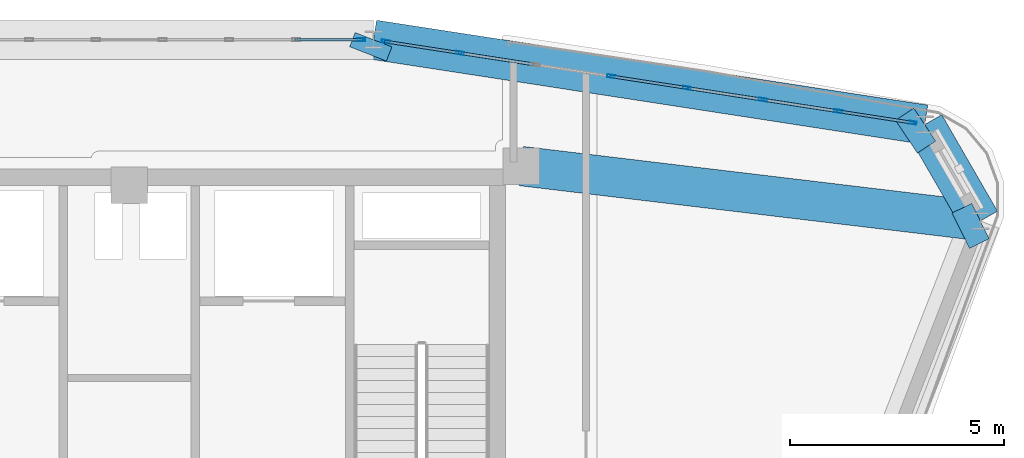
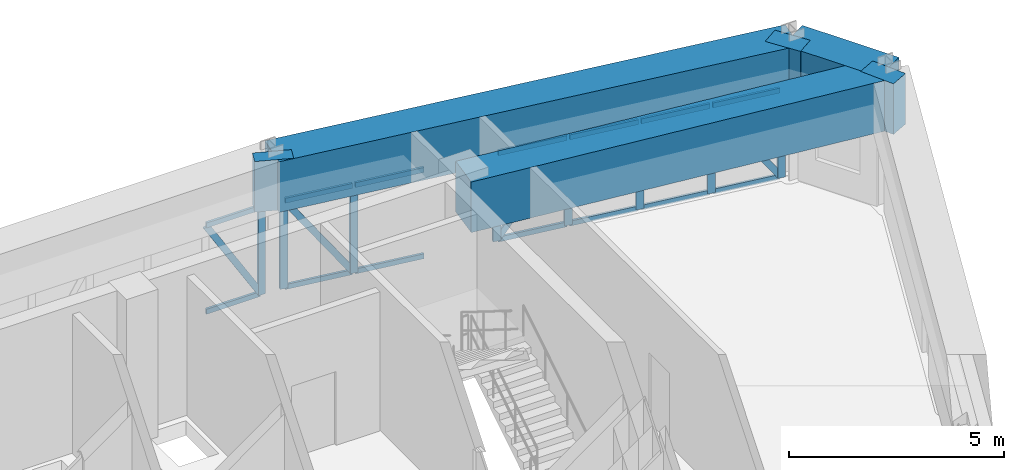
# One storey, part 10 of 18: 26 members, 6 beams, 2 elements without a shape of their own.
"""IFC4 building model written with IfcOpenShell, lengths in metres."""

from ifc_helpers import new_model, si_unit, derived_unit, direction, frame, origin, origin_2d, place, context, subcontext, project, spatial, rectangle, hollow_rectangle, extrude, source, transform, mapped, material, layer, layer_set, material_profile, profile_set, type_object, element, aggregate, save


model = new_model("IFC4")

# Units and contexts
model_context = context("Model", 3, precision=1e-05, world=origin(), true_north=direction((0.0, 1.0)))
body_context = subcontext(model_context, "Body", "Model", "MODEL_VIEW")
ifc_project = project(units=[si_unit("LENGTHUNIT", "METRE"), si_unit("AREAUNIT", "SQUARE_METRE"), si_unit("VOLUMEUNIT", "CUBIC_METRE"), si_unit("PLANEANGLEUNIT", "RADIAN"), si_unit("MASSUNIT", "GRAM", prefix="KILO"), derived_unit("THERMALTRANSMITTANCEUNIT", [(si_unit("POWERUNIT", "WATT"), 1), (si_unit("LENGTHUNIT", "METRE"), -2), (si_unit("THERMODYNAMICTEMPERATUREUNIT", "KELVIN"), -1)])], contexts=[model_context])

# Site, building, storey
site_placement = place(None, origin())
site = spatial("IfcSite", under=ifc_project, at=site_placement, CompositionType="ELEMENT")
building_placement = place(site_placement, origin())
building = spatial("IfcBuilding", under=site, at=building_placement, Name="Korsvarv Bourse and Concert Hall", CompositionType="ELEMENT")
storey_placement = place(building_placement, frame((0.0, 0.0, 275.39990234375)))
storey = spatial("IfcBuildingStorey", under=building, at=storey_placement, Name="L72", CompositionType="ELEMENT", Elevation=275.39990234375)

# Beams
ifc_material_1 = material(Name="Concrete C50/60", Category="concrete")
ifc_material_profile_1 = material_profile(ifc_material_1, rectangle(XDim=0.919921875, YDim=1.43994140625, at=origin_2d()), Name="RC-BM 920x1440")
ifc_profile_set_1 = profile_set([ifc_material_profile_1], Name="Concrete C50/60")
beam_type = type_object("IfcBeamType", Name="BM-TR-144", PredefinedType="BEAM", material=ifc_profile_set_1)
shared_shape_1 = source(origin(), body_context, "Body", "SweptSolid", [
    extrude(rectangle(XDim=0.919921875, YDim=1.43994140625, at=origin_2d()), origin(), (0.0, 0.0, 1.0), 2.5986328125),
])
beam_1_placement = place(storey_placement, frame((55.86328125, 45.9677734375, 3.239990234375), z_axis=(-0.499928491324, 0.866066685402, 0.0), x_axis=(-0.866066685402, -0.499928491324, 0.0)))
element("IfcBeam", 1, at=beam_1_placement, inside=storey, type_object=beam_type, Name="L72 beam B-TR4", PredefinedType="BEAM", context=body_context, shape_type="MappedRepresentation", body=[
    mapped(shared_shape_1, transform((0.0, 0.0, 0.0), scale=1.0)),
])
shared_shape_2 = source(origin(), body_context, "Body", "SweptSolid", [
    extrude(rectangle(XDim=0.919921875, YDim=1.43994140625, at=origin_2d()), origin(), (0.0, 0.0, 1.0), 13.0166015625),
])
beam_2_placement = place(storey_placement, frame((54.564208984375, 48.21826171875, 3.239990234375), z_axis=(-0.988346097473, 0.152223492306, 0.0), x_axis=(-0.152223492306, -0.988346097473, 0.0)))
element("IfcBeam", 2, at=beam_2_placement, inside=storey, type_object=beam_type, Name="L72 beam B-TR4", PredefinedType="BEAM", context=body_context, shape_type="MappedRepresentation", body=[
    mapped(shared_shape_2, transform((0.0, 0.0, 0.0), scale=1.0)),
])
shared_shape_3 = source(origin(), body_context, "Body", "SweptSolid", [
    extrude(rectangle(XDim=0.919921875, YDim=1.43994140625, at=origin_2d()), origin(), (0.0, 0.0, 1.0), 10.789794921875),
])
beam_3_placement = place(storey_placement, frame((55.86328125, 45.9677734375, 3.239990234375), z_axis=(-0.992913835805, 0.118836503934, 0.0), x_axis=(-0.118836503934, -0.992913835805, 0.0)))
element("IfcBeam", 3, at=beam_3_placement, inside=storey, type_object=beam_type, Name="L72 beam B-TR4", PredefinedType="BEAM", context=body_context, shape_type="MappedRepresentation", body=[
    mapped(shared_shape_3, transform((0.0, 0.0, 0.0), scale=1.0)),
])
shared_shape_4 = source(origin(), body_context, "Body", "SweptSolid", [
    extrude(rectangle(XDim=0.919921875, YDim=1.43994140625, at=origin_2d()), origin(), (0.0, 0.0, 1.0), 0.510498046875),
])
for number, where, z_axis, x_axis, name in (
    (4, (55.86328125, 45.9677734375, 3.239990234375), (-0.895857489592, -0.444341488431, 0.0), (0.444341488431, -0.895857489592, 0.0), "L72 beam B-TR4"),
    (5, (54.564208984375, 48.21826171875, 3.239990234375), (-0.83300543587, -0.553264804421, 0.0), (0.553264804421, -0.83300543587, 0.0), "L72 beam B-TR4"),
):
    element("IfcBeam", number, at=place(storey_placement, frame(where, z_axis=z_axis, x_axis=x_axis)), inside=storey, type_object=beam_type, Name=name, PredefinedType="BEAM", context=body_context, shape_type="MappedRepresentation", body=[
        mapped(shared_shape_4, transform((0.0, 0.0, 0.0), scale=1.0)),
    ])
shared_shape_5 = source(origin(), body_context, "Body", "SweptSolid", [
    extrude(rectangle(XDim=0.919921875, YDim=1.43994140625, at=origin_2d()), origin(), (0.0, 0.0, 1.0), 0.356201171875),
])
beam_4_placement = place(storey_placement, frame((41.69921875, 50.19970703125, 3.239990234375), z_axis=(-0.363934146946, -0.931424681167, 0.0), x_axis=(0.931424681167, -0.363934146946, 0.0)))
element("IfcBeam", 6, at=beam_4_placement, inside=storey, type_object=beam_type, Name="L72 beam B-TR4", PredefinedType="BEAM", context=body_context, shape_type="MappedRepresentation", body=[
    mapped(shared_shape_5, transform((0.0, 0.0, 0.0), scale=1.0)),
])

# Curtain wall, members
ifc_material_2 = material(Name="Anodised aluminium and triple low-E glazing", Category="glass")
ifc_layer = layer(ifc_material_2, 0.18994140625)
ifc_layer_set = layer_set([ifc_layer], Name="Anodised aluminium and triple low-E glazing")
curtain_wall_type = type_object("IfcCurtainWallType", Name="CW-SYS-4", PredefinedType="NOTDEFINED", material=ifc_layer_set)
curtain_wall_1_placement = place(storey_placement, origin())
curtain_wall_1 = element("IfcCurtainWall", 7, at=curtain_wall_1_placement, inside=storey, type_object=curtain_wall_type, Name="L72 CW4 curtain wall CW-L72-F02", PredefinedType="NOTDEFINED")
ifc_material_3 = material(Name="Extruded aluminium EN AW-6063 T66", Category="aluminium")
ifc_material_profile_2 = material_profile(ifc_material_3, hollow_rectangle(XDim=0.070068359375, YDim=0.18994140625, WallThickness=0.0048828125, at=origin_2d()), Name="ALU-M 70x190")
ifc_profile_set_2 = profile_set([ifc_material_profile_2], Name="Extruded aluminium EN AW-6063 T66")
member_type_1 = type_object("IfcMemberType", Name="CWM-190", PredefinedType="MULLION", material=ifc_profile_set_2)
shared_shape_6 = source(origin(), body_context, "Body", "SweptSolid", [
    extrude(hollow_rectangle(XDim=0.070068359375, YDim=0.18994140625, WallThickness=0.0048828125, at=origin_2d()), origin(), (0.0, 0.0, 1.0), 2.52001953125),
])
member_1_placement = place(storey_placement, frame((54.279052734375, 48.26220703125, 0.0), z_axis=(0.0, 0.0, 1.0), x_axis=(-0.152233784573, -0.98834451222, 0.0)))
member_1 = element("IfcMember", 8, at=member_1_placement, type_object=member_type_1, Name="CW4 mullion 1", PredefinedType="MULLION", context=body_context, shape_type="MappedRepresentation", body=[
    mapped(shared_shape_6, transform((0.0, 0.0, 0.0), scale=1.0)),
])
member_2_placement = place(storey_placement, frame((52.54736328125, 48.52880859375, 0.0), z_axis=(0.0, 0.0, 1.0), x_axis=(-0.152233784573, -0.98834451222, 0.0)))
member_2 = element("IfcMember", 9, at=member_2_placement, type_object=member_type_1, Name="CW4 mullion 2", PredefinedType="MULLION", context=body_context, shape_type="MappedRepresentation", body=[
    mapped(shared_shape_6, transform((0.0, 0.0, 0.0), scale=1.0)),
])
member_3_placement = place(storey_placement, frame((50.781005859375, 48.801025390625, 0.0), z_axis=(0.0, 0.0, 1.0), x_axis=(-0.152233784573, -0.98834451222, 0.0)))
member_3 = element("IfcMember", 10, at=member_3_placement, type_object=member_type_1, Name="CW4 mullion 3", PredefinedType="MULLION", context=body_context, shape_type="MappedRepresentation", body=[
    mapped(shared_shape_6, transform((0.0, 0.0, 0.0), scale=1.0)),
])
member_4_placement = place(storey_placement, frame((49.014892578125, 49.072998046875, 0.0), z_axis=(0.0, 0.0, 1.0), x_axis=(-0.152233784573, -0.98834451222, 0.0)))
member_4 = element("IfcMember", 11, at=member_4_placement, type_object=member_type_1, Name="CW4 mullion 4", PredefinedType="MULLION", context=body_context, shape_type="MappedRepresentation", body=[
    mapped(shared_shape_6, transform((0.0, 0.0, 0.0), scale=1.0)),
])
member_5_placement = place(storey_placement, frame((47.24853515625, 49.344970703125, 0.0), z_axis=(0.0, 0.0, 1.0), x_axis=(-0.152233784573, -0.98834451222, 0.0)))
member_5 = element("IfcMember", 12, at=member_5_placement, type_object=member_type_1, Name="CW4 mullion 5", PredefinedType="MULLION", context=body_context, shape_type="MappedRepresentation", body=[
    mapped(shared_shape_6, transform((0.0, 0.0, 0.0), scale=1.0)),
])
member_6_placement = place(storey_placement, frame((43.716064453125, 49.88916015625, 0.0), z_axis=(0.0, 0.0, 1.0), x_axis=(-0.152233784573, -0.98834451222, 0.0)))
member_6 = element("IfcMember", 13, at=member_6_placement, type_object=member_type_1, Name="CW4 mullion 7", PredefinedType="MULLION", context=body_context, shape_type="MappedRepresentation", body=[
    mapped(shared_shape_6, transform((0.0, 0.0, 0.0), scale=1.0)),
])
member_7_placement = place(storey_placement, frame((41.984375, 50.15576171875, 0.0), z_axis=(0.0, 0.0, 1.0), x_axis=(-0.152233784573, -0.98834451222, 0.0)))
member_7 = element("IfcMember", 14, at=member_7_placement, type_object=member_type_1, Name="CW4 mullion 8", PredefinedType="MULLION", context=body_context, shape_type="MappedRepresentation", body=[
    mapped(shared_shape_6, transform((0.0, 0.0, 0.0), scale=1.0)),
])

# Curtain wall, member
curtain_wall_2_placement = place(storey_placement, origin())
curtain_wall_2 = element("IfcCurtainWall", 15, at=curtain_wall_2_placement, inside=storey, type_object=curtain_wall_type, Name="L72 CW4 curtain wall CW-L72-F03", PredefinedType="NOTDEFINED")
member_8_placement = place(storey_placement, frame((41.413818359375, 50.19970703125, 0.0), z_axis=(0.0, 0.0, 1.0), x_axis=(0.0, -1.0, 0.0)))
member_8 = element("IfcMember", 16, at=member_8_placement, type_object=member_type_1, Name="CW4 mullion 1", PredefinedType="MULLION", context=body_context, shape_type="MappedRepresentation", body=[
    mapped(shared_shape_6, transform((0.0, 0.0, 0.0), scale=1.0)),
])

# Member
ifc_material_profile_3 = material_profile(ifc_material_3, hollow_rectangle(XDim=0.06494140625, YDim=0.139892578125, WallThickness=0.00390625, at=origin_2d()), Name="ALU-T 65x140")
ifc_profile_set_3 = profile_set([ifc_material_profile_3], Name="Extruded aluminium EN AW-6063 T66")
member_type_2 = type_object("IfcMemberType", Name="CWT-140", PredefinedType="USERDEFINED", material=ifc_profile_set_3)
shared_shape_7 = source(origin(), body_context, "Body", "SweptSolid", [
    extrude(hollow_rectangle(XDim=0.06494140625, YDim=0.139892578125, WallThickness=0.00390625, at=origin_2d()), origin(), (0.0, 0.0, 1.0), 1.681884765625),
])
member_9_placement = place(storey_placement, frame((54.244384765625, 48.267578125, 0.03271484375), z_axis=(-0.988361626916, 0.152122629609, 0.0), x_axis=(-0.152122629609, -0.988361626916, 0.0)))
member_9 = element("IfcMember", 17, at=member_9_placement, type_object=member_type_2, Name="CW4 transom 1.1", ObjectType="TRANSOM", PredefinedType="USERDEFINED", context=body_context, shape_type="MappedRepresentation", body=[
    mapped(shared_shape_7, transform((0.0, 0.0, 0.0), scale=1.0)),
])

member_10_placement = place(storey_placement, frame((54.244384765625, 48.267578125, 2.487548828125), z_axis=(-0.988361626916, 0.152122629609, 0.0), x_axis=(-0.152122629609, -0.988361626916, 0.0)))
member_10 = element("IfcMember", 18, at=member_10_placement, type_object=member_type_2, Name="CW4 transom 1.2", ObjectType="TRANSOM", PredefinedType="USERDEFINED", context=body_context, shape_type="MappedRepresentation", body=[
    mapped(shared_shape_7, transform((0.0, 0.0, 0.0), scale=1.0)),
])

ifc_material_profile_4 = material_profile(ifc_material_3, hollow_rectangle(XDim=0.06494140625, YDim=0.1650390625, WallThickness=0.0048828125, at=origin_2d()), Name="ALU-M 65x165")
ifc_profile_set_4 = profile_set([ifc_material_profile_4], Name="Extruded aluminium EN AW-6063 T66")
member_type_3 = type_object("IfcMemberType", Name="CWM-165", PredefinedType="MULLION", material=ifc_profile_set_4)
shared_shape_8 = source(origin(), body_context, "Body", "SweptSolid", [
    extrude(hollow_rectangle(XDim=0.06494140625, YDim=0.1650390625, WallThickness=0.0048828125, at=origin_2d()), origin(), (0.0, 0.0, 1.0), 2.92236328125),
])
member_11_placement = place(storey_placement, frame((54.244384765625, 48.267578125, 0.065185546875), z_axis=(-0.568830017658, 0.087550867749, 0.817781912595), x_axis=(-0.152122629609, -0.988361626916, 0.0)))
member_11 = element("IfcMember", 19, at=member_11_placement, type_object=member_type_3, Name="CW4 diagonal mullion 1", PredefinedType="MULLION", context=body_context, shape_type="MappedRepresentation", body=[
    mapped(shared_shape_8, transform((0.0, 0.0, 0.0), scale=1.0)),
])

shared_shape_9 = source(origin(), body_context, "Body", "SweptSolid", [
    extrude(hollow_rectangle(XDim=0.06494140625, YDim=0.139892578125, WallThickness=0.00390625, at=origin_2d()), origin(), (0.0, 0.0, 1.0), 1.717041015625),
])
member_12_placement = place(storey_placement, frame((52.5126953125, 48.5341796875, 0.03271484375), z_axis=(-0.988337152959, 0.15228155529, 0.0), x_axis=(-0.15228155529, -0.988337152959, 0.0)))
member_12 = element("IfcMember", 20, at=member_12_placement, type_object=member_type_2, Name="CW4 transom 2.1", ObjectType="TRANSOM", PredefinedType="USERDEFINED", context=body_context, shape_type="MappedRepresentation", body=[
    mapped(shared_shape_9, transform((0.0, 0.0, 0.0), scale=1.0)),
])

member_13_placement = place(storey_placement, frame((52.5126953125, 48.5341796875, 2.487548828125), z_axis=(-0.988337152959, 0.15228155529, 0.0), x_axis=(-0.15228155529, -0.988337152959, 0.0)))
member_13 = element("IfcMember", 21, at=member_13_placement, type_object=member_type_2, Name="CW4 transom 2.2", ObjectType="TRANSOM", PredefinedType="USERDEFINED", context=body_context, shape_type="MappedRepresentation", body=[
    mapped(shared_shape_9, transform((0.0, 0.0, 0.0), scale=1.0)),
])

member_14_placement = place(storey_placement, frame((48.980224609375, 49.078369140625, 0.03271484375), z_axis=(-0.988358543489, 0.152142661708, 0.0), x_axis=(-0.152142661708, -0.988358543489, 0.0)))
member_14 = element("IfcMember", 22, at=member_14_placement, type_object=member_type_2, Name="CW4 transom 4.1", ObjectType="TRANSOM", PredefinedType="USERDEFINED", context=body_context, shape_type="MappedRepresentation", body=[
    mapped(shared_shape_9, transform((0.0, 0.0, 0.0), scale=1.0)),
])

member_15_placement = place(storey_placement, frame((48.980224609375, 49.078369140625, 2.487548828125), z_axis=(-0.988358543489, 0.152142661708, 0.0), x_axis=(-0.152142661708, -0.988358543489, 0.0)))
member_15 = element("IfcMember", 23, at=member_15_placement, type_object=member_type_2, Name="CW4 transom 4.2", ObjectType="TRANSOM", PredefinedType="USERDEFINED", context=body_context, shape_type="MappedRepresentation", body=[
    mapped(shared_shape_9, transform((0.0, 0.0, 0.0), scale=1.0)),
])

shared_shape_10 = source(origin(), body_context, "Body", "SweptSolid", [
    extrude(hollow_rectangle(XDim=0.06494140625, YDim=0.139892578125, WallThickness=0.00390625, at=origin_2d()), origin(), (0.0, 0.0, 1.0), 1.71728515625),
])
member_16_placement = place(storey_placement, frame((50.74658203125, 48.80615234375, 0.03271484375), z_axis=(-0.988340449518, 0.152260158434, 0.0), x_axis=(-0.152260158434, -0.988340449518, 0.0)))
member_16 = element("IfcMember", 24, at=member_16_placement, type_object=member_type_2, Name="CW4 transom 3.1", ObjectType="TRANSOM", PredefinedType="USERDEFINED", context=body_context, shape_type="MappedRepresentation", body=[
    mapped(shared_shape_10, transform((0.0, 0.0, 0.0), scale=1.0)),
])

member_17_placement = place(storey_placement, frame((50.74658203125, 48.80615234375, 2.487548828125), z_axis=(-0.988340449518, 0.152260158434, 0.0), x_axis=(-0.152260158434, -0.988340449518, 0.0)))
member_17 = element("IfcMember", 25, at=member_17_placement, type_object=member_type_2, Name="CW4 transom 3.2", ObjectType="TRANSOM", PredefinedType="USERDEFINED", context=body_context, shape_type="MappedRepresentation", body=[
    mapped(shared_shape_10, transform((0.0, 0.0, 0.0), scale=1.0)),
])

member_18_placement = place(storey_placement, frame((45.44775390625, 49.622314453125, 0.03271484375), z_axis=(-0.988340449518, 0.152260158434, 0.0), x_axis=(-0.152260158434, -0.988340449518, 0.0)))
member_18 = element("IfcMember", 26, at=member_18_placement, type_object=member_type_2, Name="CW4 transom 6.1", ObjectType="TRANSOM", PredefinedType="USERDEFINED", context=body_context, shape_type="MappedRepresentation", body=[
    mapped(shared_shape_10, transform((0.0, 0.0, 0.0), scale=1.0)),
])

member_19_placement = place(storey_placement, frame((45.44775390625, 49.622314453125, 2.487548828125), z_axis=(-0.988340449518, 0.152260158434, 0.0), x_axis=(-0.152260158434, -0.988340449518, 0.0)))
member_19 = element("IfcMember", 27, at=member_19_placement, type_object=member_type_2, Name="CW4 transom 6.2", ObjectType="TRANSOM", PredefinedType="USERDEFINED", context=body_context, shape_type="MappedRepresentation", body=[
    mapped(shared_shape_10, transform((0.0, 0.0, 0.0), scale=1.0)),
])

shared_shape_11 = source(origin(), body_context, "Body", "SweptSolid", [
    extrude(hollow_rectangle(XDim=0.06494140625, YDim=0.1650390625, WallThickness=0.0048828125, at=origin_2d()), origin(), (0.0, 0.0, 1.0), 2.942626953125),
])
member_20_placement = place(storey_placement, frame((47.283203125, 49.339599609375, 0.065185546875), z_axis=(0.576681037426, -0.08877121422, 0.81213216449), x_axis=(0.152142661708, 0.988358543489, 0.0)))
member_20 = element("IfcMember", 28, at=member_20_placement, type_object=member_type_3, Name="CW4 diagonal mullion 4", PredefinedType="MULLION", context=body_context, shape_type="MappedRepresentation", body=[
    mapped(shared_shape_11, transform((0.0, 0.0, 0.0), scale=1.0)),
])

shared_shape_12 = source(origin(), body_context, "Body", "SweptSolid", [
    extrude(hollow_rectangle(XDim=0.06494140625, YDim=0.139892578125, WallThickness=0.00390625, at=origin_2d()), origin(), (0.0, 0.0, 1.0), 1.68212890625),
])
member_21_placement = place(storey_placement, frame((43.681396484375, 49.89453125, 0.03271484375), z_axis=(-0.988343157376, 0.152242580336, 0.0), x_axis=(-0.152242580336, -0.988343157376, 0.0)))
member_21 = element("IfcMember", 29, at=member_21_placement, type_object=member_type_2, Name="CW4 transom 7.1", ObjectType="TRANSOM", PredefinedType="USERDEFINED", context=body_context, shape_type="MappedRepresentation", body=[
    mapped(shared_shape_12, transform((0.0, 0.0, 0.0), scale=1.0)),
])

member_22_placement = place(storey_placement, frame((43.681396484375, 49.89453125, 2.487548828125), z_axis=(-0.988343157376, 0.152242580336, 0.0), x_axis=(-0.152242580336, -0.988343157376, 0.0)))
member_22 = element("IfcMember", 30, at=member_22_placement, type_object=member_type_2, Name="CW4 transom 7.2", ObjectType="TRANSOM", PredefinedType="USERDEFINED", context=body_context, shape_type="MappedRepresentation", body=[
    mapped(shared_shape_12, transform((0.0, 0.0, 0.0), scale=1.0)),
])

shared_shape_13 = source(origin(), body_context, "Body", "SweptSolid", [
    extrude(hollow_rectangle(XDim=0.06494140625, YDim=0.1650390625, WallThickness=0.0048828125, at=origin_2d()), origin(), (0.0, 0.0, 1.0), 2.922607421875),
])
member_23_placement = place(storey_placement, frame((43.681396484375, 49.89453125, 0.065185546875), z_axis=(-0.568882360981, 0.087629603035, 0.817737067789), x_axis=(-0.152242580336, -0.988343157376, 0.0)))
member_23 = element("IfcMember", 31, at=member_23_placement, type_object=member_type_3, Name="CW4 diagonal mullion 7", PredefinedType="MULLION", context=body_context, shape_type="MappedRepresentation", body=[
    mapped(shared_shape_13, transform((0.0, 0.0, 0.0), scale=1.0)),
])

aggregate(curtain_wall_1, [member_1, member_2, member_3, member_4, member_5, member_6, member_7, member_9, member_10, member_11, member_12, member_13, member_16, member_17, member_14, member_15, member_20, member_18, member_19, member_21, member_22, member_23])

shared_shape_14 = source(origin(), body_context, "Body", "SweptSolid", [
    extrude(hollow_rectangle(XDim=0.06494140625, YDim=0.139892578125, WallThickness=0.00390625, at=origin_2d()), origin(), (0.0, 0.0, 1.0), 1.45166015625),
])
member_24_placement = place(storey_placement, frame((41.378662109375, 50.19970703125, 0.03271484375), z_axis=(-1.0, 0.0, 0.0), x_axis=(0.0, -1.0, 0.0)))
member_24 = element("IfcMember", 32, at=member_24_placement, type_object=member_type_2, Name="CW4 transom 1.1", ObjectType="TRANSOM", PredefinedType="USERDEFINED", context=body_context, shape_type="MappedRepresentation", body=[
    mapped(shared_shape_14, transform((0.0, 0.0, 0.0), scale=1.0)),
])

member_25_placement = place(storey_placement, frame((41.378662109375, 50.19970703125, 2.487548828125), z_axis=(-1.0, 0.0, 0.0), x_axis=(0.0, -1.0, 0.0)))
member_25 = element("IfcMember", 33, at=member_25_placement, type_object=member_type_2, Name="CW4 transom 1.2", ObjectType="TRANSOM", PredefinedType="USERDEFINED", context=body_context, shape_type="MappedRepresentation", body=[
    mapped(shared_shape_14, transform((0.0, 0.0, 0.0), scale=1.0)),
])

shared_shape_15 = source(origin(), body_context, "Body", "SweptSolid", [
    extrude(hollow_rectangle(XDim=0.06494140625, YDim=0.1650390625, WallThickness=0.0048828125, at=origin_2d()), origin(), (0.0, 0.0, 1.0), 2.796142578125),
])
member_26_placement = place(storey_placement, frame((41.378662109375, 50.19970703125, 0.065185546875), z_axis=(-0.519149002084, 0.0, 0.854683750656), x_axis=(0.0, -1.0, 0.0)))
member_26 = element("IfcMember", 34, at=member_26_placement, type_object=member_type_3, Name="CW4 diagonal mullion 1", PredefinedType="MULLION", context=body_context, shape_type="MappedRepresentation", body=[
    mapped(shared_shape_15, transform((0.0, 0.0, 0.0), scale=1.0)),
])

aggregate(curtain_wall_2, [member_8, member_24, member_25, member_26])

save(model, "model.ifc")
